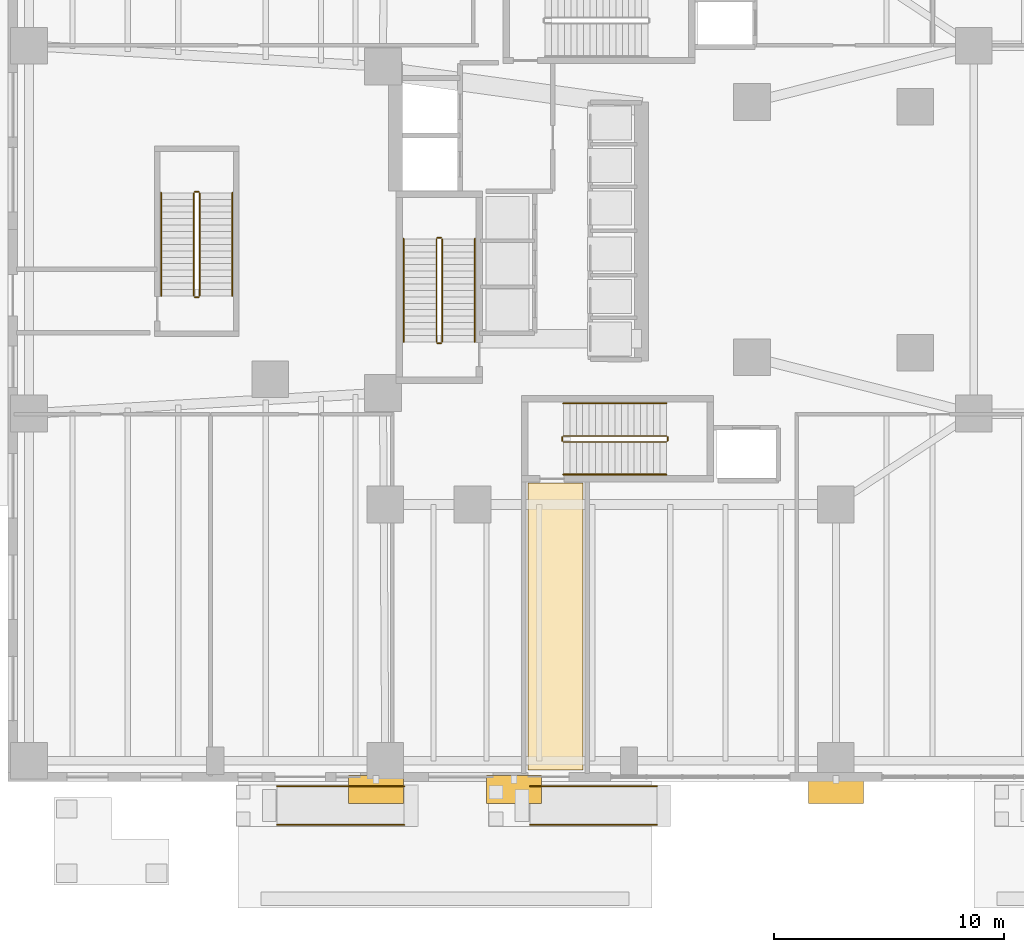
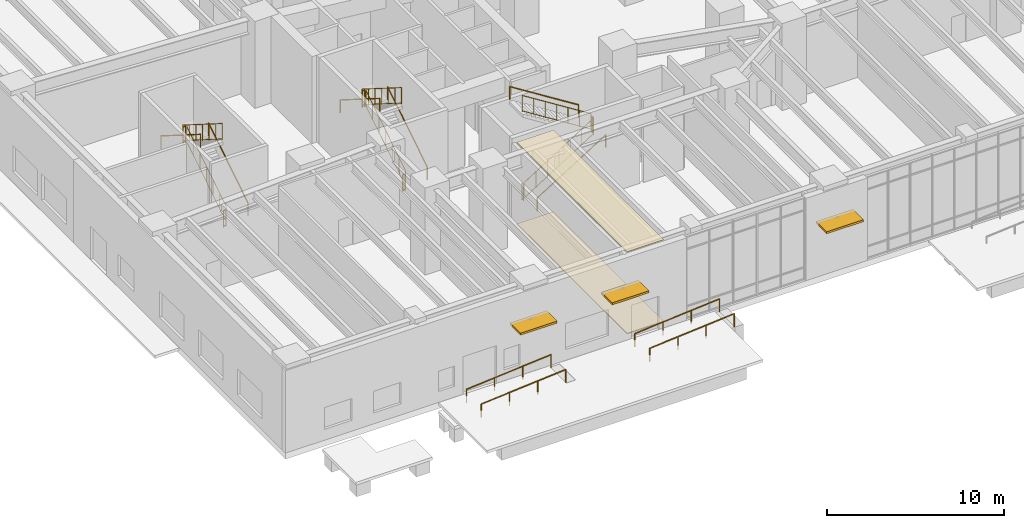
# One storey, part 24 of 28: 22 railings, 3 shading devices, 2 coverings.
"""IFC4 building model written with IfcOpenShell, lengths in metres."""

from ifc_helpers import new_model, si_unit, direction, frame, origin, origin_2d, place, context, subcontext, project, spatial, polyline, rectangle, circle, outline, extrude, material, layer, layer_set, type_object, element, save


model = new_model("IFC4")

# Units and contexts
model_context = context("Model", 3, precision=1e-05, world=origin(), true_north=direction((0.0, 1.0)))
body_context = subcontext(model_context, "Body", "Model", "MODEL_VIEW")
ifc_project = project(units=[si_unit("LENGTHUNIT", "METRE"), si_unit("AREAUNIT", "SQUARE_METRE"), si_unit("VOLUMEUNIT", "CUBIC_METRE"), si_unit("PLANEANGLEUNIT", "RADIAN"), si_unit("MASSUNIT", "GRAM", prefix="KILO"), si_unit("THERMODYNAMICTEMPERATUREUNIT", "KELVIN"), si_unit("POWERUNIT", "WATT")], contexts=[model_context])

# Site, building, storey
site_placement = place(None, origin())
site = spatial("IfcSite", under=ifc_project, at=site_placement, CompositionType="ELEMENT")
building_placement = place(site_placement, origin())
building = spatial("IfcBuilding", under=site, at=building_placement, Name="Skarre Station Tower", CompositionType="ELEMENT")
storey_placement = place(building_placement, origin())
storey = spatial("IfcBuildingStorey", under=building, at=storey_placement, Name="L01", CompositionType="ELEMENT", Elevation=0.0)

# Shading devices
ifc_material_1 = material(Name="Bronze Anodized Aluminium Blade Canopy", Category="aluminium")
ifc_layer_1 = layer(ifc_material_1, 0.139892578125, Name="Bronze Anodized Aluminium Blade Canopy")
ifc_layer_set_1 = layer_set([ifc_layer_1], Name="Bronze Anodized Aluminium Blade Canopy")
shading_device_type = type_object("IfcShadingDeviceType", Name="Entrance Canopy Sun-Breaker Awning 2400x1200", PredefinedType="AWNING", material=ifc_layer_set_1)
for number, where, z_axis, x_axis, name in (
    (1, (16.0, -0.35009765625, 3.5302734375), (0.0, 0.0, 1.0), (1.0, 0.0, 0.0), "L01 South Concourse Entrance Canopy Awning 1"),
    (2, (22.0, -0.35009765625, 3.5302734375), (0.0, 0.0, 1.0), (1.0, 0.0, 0.0), "L01 South Concourse Entrance Canopy Awning 2"),
    (3, (36.0, -0.35009765625, 3.5302734375), (0.0, 0.0, 1.0), (1.0, 0.0, 0.0), "L01 South Concourse Entrance Canopy Awning 3"),
):
    element("IfcShadingDevice", number, at=place(storey_placement, frame(where, z_axis=z_axis, x_axis=x_axis)), inside=storey, type_object=shading_device_type, Name=name, PredefinedType="AWNING", context=body_context, shape_type="SweptSolid", body=[
        extrude(rectangle(XDim=2.39990234375, YDim=1.199951171875, at=origin_2d()), origin(), (0.0, 0.0, 1.0), 0.139892578125),
    ])

# Coverings
ifc_material_2 = material(Name="Honed Jura Limestone & Calcium-Sulfate Access Tile", Category="masonry")
ifc_layer_2 = layer(ifc_material_2, 0.050048828125, Name="Honed Jura Limestone & Calcium-Sulfate Access Tile")
ifc_layer_set_2 = layer_set([ifc_layer_2], Name="Honed Jura Limestone & Calcium-Sulfate Access Tile")
covering_type_1 = type_object("IfcCoveringType", Name="Honed Limestone & Raised Access Floor Finish 50", PredefinedType="FLOORING", material=ifc_layer_set_2)
covering_1_placement = place(storey_placement, origin())
element("IfcCovering", 4, at=covering_1_placement, inside=storey, type_object=covering_type_1, Name="L01 Limestone Access Flooring 1", PredefinedType="FLOORING", context=body_context, shape_type="SweptSolid", body=[
    extrude(outline(polyline([(25.0, 0.5), (25.0, 12.97998046875), (22.60009765625, 12.97998046875), (22.60009765625, 0.5), (25.0, 0.5)])), origin(), (0.0, 0.0, 1.0), 0.050048828125),
])
ifc_material_3 = material(Name="Perforated Nordic Birch Veneer & Mineral Wool", Category="wood")
ifc_layer_3 = layer(ifc_material_3, 0.044921875, Name="Perforated Nordic Birch Veneer & Mineral Wool")
ifc_layer_set_3 = layer_set([ifc_layer_3], Name="Perforated Nordic Birch Veneer & Mineral Wool")
covering_type_2 = type_object("IfcCoveringType", Name="Nordic Birch Slatted Acoustic Suspended Ceiling 45", PredefinedType="CEILING", material=ifc_layer_set_3)
covering_2_placement = place(storey_placement, frame((0.0, 0.0, 5.64501953125)))
element("IfcCovering", 5, at=covering_2_placement, inside=storey, type_object=covering_type_2, Name="L01 Acoustic Birch Ceiling 1", PredefinedType="CEILING", context=body_context, shape_type="SweptSolid", body=[
    extrude(outline(polyline([(25.0, 0.5), (25.0, 12.97998046875), (22.60009765625, 12.97998046875), (22.60009765625, 0.5), (25.0, 0.5)])), origin(), (0.0, 0.0, 1.0), 0.044921875),
])

# Railings
ifc_material_4 = material(Name="Powder-Coated Tubular Steel", Category="steel")
railing_type_1 = type_object("IfcRailingType", Name="Painted Steel Ramp & Stair Handrail 920", PredefinedType="HANDRAIL", material=ifc_material_4)
railing_1_placement = place(storey_placement, frame((20.300048828125, 19.1201171875, 0.176513671875)))
element("IfcRailing", 6, at=railing_1_placement, inside=storey, type_object=railing_type_1, Name="L01 ST-1 stair handrail 1", PredefinedType="HANDRAIL", context=body_context, shape_type="SweptSolid", body=[
    extrude(circle(Radius=0.02392578125, at=origin_2d()), frame((0.0, 0.0, 0.8759765625), z_axis=(0.0, 0.845997938375, 0.533186166611), x_axis=(-1.0, 0.0, 0.0)), (0.0, 0.0, 1.0), 5.29541015625),
    extrude(circle(Radius=0.02099609375, at=origin_2d()), origin(), (0.0, 0.0, 1.0), 0.851806640625),
    extrude(circle(Radius=0.02099609375, at=origin_2d()), frame((0.0, 4.47998046875, 2.823486328125)), (0.0, 0.0, 1.0), 0.851806640625),
])
railing_2_placement = place(storey_placement, frame((17.199951171875, 23.60009765625, 3.176513671875)))
element("IfcRailing", 7, at=railing_2_placement, inside=storey, type_object=railing_type_1, Name="L01 ST-1 stair handrail 2", PredefinedType="HANDRAIL", context=body_context, shape_type="SweptSolid", body=[
    extrude(circle(Radius=0.02392578125, at=origin_2d()), frame((0.0, 0.0, 0.8759765625), z_axis=(0.0, -0.845997938375, 0.533186166611), x_axis=(1.0, 0.0, 0.0)), (0.0, 0.0, 1.0), 5.29541015625),
    extrude(circle(Radius=0.02099609375, at=origin_2d()), origin(), (0.0, 0.0, 1.0), 0.851806640625),
    extrude(circle(Radius=0.02099609375, at=origin_2d()), frame((0.0, -4.47998046875, 2.823486328125)), (0.0, 0.0, 1.0), 0.851806640625),
])
railing_3_placement = place(storey_placement, frame((24.14990234375, 13.35009765625, 0.176513671875)))
element("IfcRailing", 8, at=railing_3_placement, inside=storey, type_object=railing_type_1, Name="L01 ST-2 stair handrail 1", PredefinedType="HANDRAIL", context=body_context, shape_type="SweptSolid", body=[
    extrude(circle(Radius=0.02392578125, at=origin_2d()), frame((0.0, 0.0, 0.8759765625), z_axis=(0.845997938375, 0.0, 0.533186166611), x_axis=(0.0, 1.0, 0.0)), (0.0, 0.0, 1.0), 5.29541015625),
    extrude(circle(Radius=0.02099609375, at=origin_2d()), origin(), (0.0, 0.0, 1.0), 0.851806640625),
    extrude(circle(Radius=0.02099609375, at=origin_2d()), frame((4.47998046875, 0.0, 2.823486328125)), (0.0, 0.0, 1.0), 0.851806640625),
])
railing_4_placement = place(storey_placement, frame((28.6298828125, 16.449951171875, 3.176513671875)))
element("IfcRailing", 9, at=railing_4_placement, inside=storey, type_object=railing_type_1, Name="L01 ST-2 stair handrail 2", PredefinedType="HANDRAIL", context=body_context, shape_type="SweptSolid", body=[
    extrude(circle(Radius=0.02392578125, at=origin_2d()), frame((0.0, 0.0, 0.8759765625), z_axis=(-0.845997938375, 0.0, 0.533186166611), x_axis=(0.0, -1.0, 0.0)), (0.0, 0.0, 1.0), 5.29541015625),
    extrude(circle(Radius=0.02099609375, at=origin_2d()), origin(), (0.0, 0.0, 1.0), 0.851806640625),
    extrude(circle(Radius=0.02099609375, at=origin_2d()), frame((-4.47998046875, 0.0, 2.823486328125)), (0.0, 0.0, 1.0), 0.851806640625),
])
railing_5_placement = place(storey_placement, frame((9.75, 21.1201171875, 0.176513671875)))
element("IfcRailing", 10, at=railing_5_placement, inside=storey, type_object=railing_type_1, Name="L01 ST-4 stair handrail 1", PredefinedType="HANDRAIL", context=body_context, shape_type="SweptSolid", body=[
    extrude(circle(Radius=0.02392578125, at=origin_2d()), frame((0.0, 0.0, 0.8759765625), z_axis=(0.0, 0.845997938375, 0.533186166611), x_axis=(-1.0, 0.0, 0.0)), (0.0, 0.0, 1.0), 5.29541015625),
    extrude(circle(Radius=0.02099609375, at=origin_2d()), origin(), (0.0, 0.0, 1.0), 0.851806640625),
    extrude(circle(Radius=0.02099609375, at=origin_2d()), frame((0.0, 4.47998046875, 2.823486328125)), (0.0, 0.0, 1.0), 0.851806640625),
])
railing_6_placement = place(storey_placement, frame((6.64990234375, 25.60009765625, 3.176513671875)))
element("IfcRailing", 11, at=railing_6_placement, inside=storey, type_object=railing_type_1, Name="L01 ST-4 stair handrail 2", PredefinedType="HANDRAIL", context=body_context, shape_type="SweptSolid", body=[
    extrude(circle(Radius=0.02392578125, at=origin_2d()), frame((0.0, 0.0, 0.8759765625), z_axis=(0.0, -0.845997938375, 0.533186166611), x_axis=(1.0, 0.0, 0.0)), (0.0, 0.0, 1.0), 5.29541015625),
    extrude(circle(Radius=0.02099609375, at=origin_2d()), origin(), (0.0, 0.0, 1.0), 0.851806640625),
    extrude(circle(Radius=0.02099609375, at=origin_2d()), frame((0.0, -4.47998046875, 2.823486328125)), (0.0, 0.0, 1.0), 0.851806640625),
])
for number, where, name in (
    (12, (11.699951171875, -1.889892578125, -0.4599609375), "South West Concourse Accessible Ramp Handrail A"),
    (13, (11.699951171875, -0.2099609375, -0.4599609375), "South West Concourse Accessible Ramp Handrail B"),
    (14, (22.699951171875, -1.889892578125, -0.4599609375), "South Plaza Main Accessible Ramp Handrail A"),
    (15, (22.699951171875, -0.2099609375, -0.4599609375), "South Plaza Main Accessible Ramp Handrail B"),
):
    element("IfcRailing", number, at=place(storey_placement, frame(where)), inside=storey, type_object=railing_type_1, Name=name, PredefinedType="HANDRAIL", context=body_context, shape_type="SweptSolid", body=[
        extrude(circle(Radius=0.02392578125, at=origin_2d()), frame((0.0, 0.0, 0.89599609375), z_axis=(0.996546366156, 0.0, 0.083038184601), x_axis=(0.0, 1.0, 0.0)), (0.0, 0.0, 1.0), 5.5390625),
        extrude(circle(Radius=0.02099609375, at=origin_2d()), origin(), (0.0, 0.0, 1.0), 0.871826171875),
        extrude(circle(Radius=0.02099609375, at=origin_2d()), frame((1.840087890625, 0.0, 0.1533203125)), (0.0, 0.0, 1.0), 0.871826171875),
        extrude(circle(Radius=0.02099609375, at=origin_2d()), frame((3.679931640625, 0.0, 0.306640625)), (0.0, 0.0, 1.0), 0.871826171875),
        extrude(circle(Radius=0.02099609375, at=origin_2d()), frame((5.52001953125, 0.0, 0.4599609375)), (0.0, 0.0, 1.0), 0.871826171875),
    ])
railing_type_2 = type_object("IfcRailingType", Name="Painted Steel Stairwell Guardrail 1100", PredefinedType="GUARDRAIL", material=ifc_material_4)
railing_7_placement = place(storey_placement, frame((18.8798828125, 19.1201171875, 0.176513671875)))
element("IfcRailing", 16, at=railing_7_placement, inside=storey, type_object=railing_type_2, Name="L01 ST-1 stair guard 1", PredefinedType="GUARDRAIL", context=body_context, shape_type="SweptSolid", body=[
    extrude(circle(Radius=0.02392578125, at=origin_2d()), frame((0.0, 0.0, 1.1259765625), z_axis=(0.0, 0.845997938375, 0.533186166611), x_axis=(-1.0, 0.0, 0.0)), (0.0, 0.0, 1.0), 5.29541015625),
    extrude(circle(Radius=0.02099609375, at=origin_2d()), frame((0.0, 0.0, 0.06005859375), z_axis=(0.0, 0.845997938375, 0.533186166611), x_axis=(-1.0, 0.0, 0.0)), (0.0, 0.0, 1.0), 5.29541015625),
    extrude(circle(Radius=0.02099609375, at=origin_2d()), origin(), (0.0, 0.0, 1.0), 1.101806640625),
    extrude(circle(Radius=0.02099609375, at=origin_2d()), frame((0.0, 0.74658203125, 0.470703125)), (0.0, 0.0, 1.0), 1.101806640625),
    extrude(circle(Radius=0.02099609375, at=origin_2d()), frame((0.0, 1.493408203125, 0.941162109375)), (0.0, 0.0, 1.0), 1.101806640625),
    extrude(circle(Radius=0.02099609375, at=origin_2d()), frame((0.0, 2.239990234375, 1.41162109375)), (0.0, 0.0, 1.0), 1.101806640625),
    extrude(circle(Radius=0.02099609375, at=origin_2d()), frame((0.0, 2.986572265625, 1.88232421875)), (0.0, 0.0, 1.0), 1.101806640625),
    extrude(circle(Radius=0.02099609375, at=origin_2d()), frame((0.0, 3.7333984375, 2.35302734375)), (0.0, 0.0, 1.0), 1.101806640625),
    extrude(circle(Radius=0.02099609375, at=origin_2d()), frame((0.0, 4.47998046875, 2.823486328125)), (0.0, 0.0, 1.0), 1.101806640625),
])
railing_8_placement = place(storey_placement, frame((18.830078125, 23.64990234375, 3.0)))
element("IfcRailing", 17, at=railing_8_placement, inside=storey, type_object=railing_type_2, Name="L01 ST-1 stair guard 2", PredefinedType="GUARDRAIL", context=body_context, shape_type="SweptSolid", body=[
    extrude(circle(Radius=0.02392578125, at=origin_2d()), frame((0.0, 0.0, 1.1259765625), z_axis=(-1.0, 0.0, 0.0), x_axis=(0.0, -1.0, 0.0)), (0.0, 0.0, 1.0), 0.16015625),
    extrude(circle(Radius=0.02099609375, at=origin_2d()), frame((0.0, 0.0, 0.06005859375), z_axis=(-1.0, 0.0, 0.0), x_axis=(0.0, -1.0, 0.0)), (0.0, 0.0, 1.0), 0.16015625),
    extrude(circle(Radius=0.02099609375, at=origin_2d()), origin(), (0.0, 0.0, 1.0), 1.101806640625),
    extrude(circle(Radius=0.02099609375, at=origin_2d()), frame((-0.16015625, 0.0, 0.0)), (0.0, 0.0, 1.0), 1.101806640625),
])
railing_9_placement = place(storey_placement, frame((18.6201171875, 23.60009765625, 3.176513671875)))
element("IfcRailing", 18, at=railing_9_placement, inside=storey, type_object=railing_type_2, Name="L01 ST-1 stair guard 3", PredefinedType="GUARDRAIL", context=body_context, shape_type="SweptSolid", body=[
    extrude(circle(Radius=0.02392578125, at=origin_2d()), frame((0.0, 0.0, 1.1259765625), z_axis=(0.0, -0.845997938375, 0.533186166611), x_axis=(1.0, 0.0, 0.0)), (0.0, 0.0, 1.0), 5.29541015625),
    extrude(circle(Radius=0.02099609375, at=origin_2d()), frame((0.0, 0.0, 0.06005859375), z_axis=(0.0, -0.845997938375, 0.533186166611), x_axis=(1.0, 0.0, 0.0)), (0.0, 0.0, 1.0), 5.29541015625),
    extrude(circle(Radius=0.02099609375, at=origin_2d()), origin(), (0.0, 0.0, 1.0), 1.101806640625),
    extrude(circle(Radius=0.02099609375, at=origin_2d()), frame((0.0, -0.74658203125, 0.470703125)), (0.0, 0.0, 1.0), 1.101806640625),
    extrude(circle(Radius=0.02099609375, at=origin_2d()), frame((0.0, -1.493408203125, 0.941162109375)), (0.0, 0.0, 1.0), 1.101806640625),
    extrude(circle(Radius=0.02099609375, at=origin_2d()), frame((0.0, -2.239990234375, 1.41162109375)), (0.0, 0.0, 1.0), 1.101806640625),
    extrude(circle(Radius=0.02099609375, at=origin_2d()), frame((0.0, -2.986572265625, 1.88232421875)), (0.0, 0.0, 1.0), 1.101806640625),
    extrude(circle(Radius=0.02099609375, at=origin_2d()), frame((0.0, -3.7333984375, 2.35302734375)), (0.0, 0.0, 1.0), 1.101806640625),
    extrude(circle(Radius=0.02099609375, at=origin_2d()), frame((0.0, -4.47998046875, 2.823486328125)), (0.0, 0.0, 1.0), 1.101806640625),
])
railing_10_placement = place(storey_placement, frame((18.830078125, 19.070068359375, 0.0)))
element("IfcRailing", 19, at=railing_10_placement, inside=storey, type_object=railing_type_2, Name="L01 ST-1 stair guard 4", PredefinedType="GUARDRAIL", context=body_context, shape_type="SweptSolid", body=[
    extrude(circle(Radius=0.02392578125, at=origin_2d()), frame((0.0, 0.0, 1.1259765625), z_axis=(-1.0, 0.0, 0.0), x_axis=(0.0, -1.0, 0.0)), (0.0, 0.0, 1.0), 0.16015625),
    extrude(circle(Radius=0.02099609375, at=origin_2d()), frame((0.0, 0.0, 0.06005859375), z_axis=(-1.0, 0.0, 0.0), x_axis=(0.0, -1.0, 0.0)), (0.0, 0.0, 1.0), 0.16015625),
    extrude(circle(Radius=0.02099609375, at=origin_2d()), origin(), (0.0, 0.0, 1.0), 1.101806640625),
    extrude(circle(Radius=0.02099609375, at=origin_2d()), frame((-0.16015625, 0.0, 0.0)), (0.0, 0.0, 1.0), 1.101806640625),
])
railing_11_placement = place(storey_placement, frame((24.14990234375, 14.77001953125, 0.176513671875)))
element("IfcRailing", 20, at=railing_11_placement, inside=storey, type_object=railing_type_2, Name="L01 ST-2 stair guard 1", PredefinedType="GUARDRAIL", context=body_context, shape_type="SweptSolid", body=[
    extrude(circle(Radius=0.02392578125, at=origin_2d()), frame((0.0, 0.0, 1.1259765625), z_axis=(0.845997938375, 0.0, 0.533186166611), x_axis=(0.0, 1.0, 0.0)), (0.0, 0.0, 1.0), 5.29541015625),
    extrude(circle(Radius=0.02099609375, at=origin_2d()), frame((0.0, 0.0, 0.06005859375), z_axis=(0.845997938375, 0.0, 0.533186166611), x_axis=(0.0, 1.0, 0.0)), (0.0, 0.0, 1.0), 5.29541015625),
    extrude(circle(Radius=0.02099609375, at=origin_2d()), origin(), (0.0, 0.0, 1.0), 1.101806640625),
    extrude(circle(Radius=0.02099609375, at=origin_2d()), frame((0.74658203125, 0.0, 0.470703125)), (0.0, 0.0, 1.0), 1.101806640625),
    extrude(circle(Radius=0.02099609375, at=origin_2d()), frame((1.493408203125, 0.0, 0.941162109375)), (0.0, 0.0, 1.0), 1.101806640625),
    extrude(circle(Radius=0.02099609375, at=origin_2d()), frame((2.239990234375, 0.0, 1.41162109375)), (0.0, 0.0, 1.0), 1.101806640625),
    extrude(circle(Radius=0.02099609375, at=origin_2d()), frame((2.986572265625, 0.0, 1.88232421875)), (0.0, 0.0, 1.0), 1.101806640625),
    extrude(circle(Radius=0.02099609375, at=origin_2d()), frame((3.7333984375, 0.0, 2.35302734375)), (0.0, 0.0, 1.0), 1.101806640625),
    extrude(circle(Radius=0.02099609375, at=origin_2d()), frame((4.47998046875, 0.0, 2.823486328125)), (0.0, 0.0, 1.0), 1.101806640625),
])
railing_12_placement = place(storey_placement, frame((28.679931640625, 14.820068359375, 3.0)))
element("IfcRailing", 21, at=railing_12_placement, inside=storey, type_object=railing_type_2, Name="L01 ST-2 stair guard 2", PredefinedType="GUARDRAIL", context=body_context, shape_type="SweptSolid", body=[
    extrude(circle(Radius=0.02392578125, at=origin_2d()), frame((0.0, 0.0, 1.1259765625), z_axis=(0.0, 1.0, 0.0), x_axis=(-1.0, 0.0, 0.0)), (0.0, 0.0, 1.0), 0.159912109375),
    extrude(circle(Radius=0.02099609375, at=origin_2d()), frame((0.0, 0.0, 0.06005859375), z_axis=(0.0, 1.0, 0.0), x_axis=(-1.0, 0.0, 0.0)), (0.0, 0.0, 1.0), 0.159912109375),
    extrude(circle(Radius=0.02099609375, at=origin_2d()), origin(), (0.0, 0.0, 1.0), 1.101806640625),
    extrude(circle(Radius=0.02099609375, at=origin_2d()), frame((0.0, 0.159912109375, 0.0)), (0.0, 0.0, 1.0), 1.101806640625),
])
railing_13_placement = place(storey_placement, frame((28.6298828125, 15.030029296875, 3.176513671875)))
element("IfcRailing", 22, at=railing_13_placement, inside=storey, type_object=railing_type_2, Name="L01 ST-2 stair guard 3", PredefinedType="GUARDRAIL", context=body_context, shape_type="SweptSolid", body=[
    extrude(circle(Radius=0.02392578125, at=origin_2d()), frame((0.0, 0.0, 1.1259765625), z_axis=(-0.845997938375, 0.0, 0.533186166611), x_axis=(0.0, -1.0, 0.0)), (0.0, 0.0, 1.0), 5.29541015625),
    extrude(circle(Radius=0.02099609375, at=origin_2d()), frame((0.0, 0.0, 0.06005859375), z_axis=(-0.845997938375, 0.0, 0.533186166611), x_axis=(0.0, -1.0, 0.0)), (0.0, 0.0, 1.0), 5.29541015625),
    extrude(circle(Radius=0.02099609375, at=origin_2d()), origin(), (0.0, 0.0, 1.0), 1.101806640625),
    extrude(circle(Radius=0.02099609375, at=origin_2d()), frame((-0.74658203125, 0.0, 0.470703125)), (0.0, 0.0, 1.0), 1.101806640625),
    extrude(circle(Radius=0.02099609375, at=origin_2d()), frame((-1.493408203125, 0.0, 0.941162109375)), (0.0, 0.0, 1.0), 1.101806640625),
    extrude(circle(Radius=0.02099609375, at=origin_2d()), frame((-2.239990234375, 0.0, 1.41162109375)), (0.0, 0.0, 1.0), 1.101806640625),
    extrude(circle(Radius=0.02099609375, at=origin_2d()), frame((-2.986572265625, 0.0, 1.88232421875)), (0.0, 0.0, 1.0), 1.101806640625),
    extrude(circle(Radius=0.02099609375, at=origin_2d()), frame((-3.7333984375, 0.0, 2.35302734375)), (0.0, 0.0, 1.0), 1.101806640625),
    extrude(circle(Radius=0.02099609375, at=origin_2d()), frame((-4.47998046875, 0.0, 2.823486328125)), (0.0, 0.0, 1.0), 1.101806640625),
])
railing_14_placement = place(storey_placement, frame((24.10009765625, 14.820068359375, 0.0)))
element("IfcRailing", 23, at=railing_14_placement, inside=storey, type_object=railing_type_2, Name="L01 ST-2 stair guard 4", PredefinedType="GUARDRAIL", context=body_context, shape_type="SweptSolid", body=[
    extrude(circle(Radius=0.02392578125, at=origin_2d()), frame((0.0, 0.0, 1.1259765625), z_axis=(0.0, 1.0, 0.0), x_axis=(-1.0, 0.0, 0.0)), (0.0, 0.0, 1.0), 0.159912109375),
    extrude(circle(Radius=0.02099609375, at=origin_2d()), frame((0.0, 0.0, 0.06005859375), z_axis=(0.0, 1.0, 0.0), x_axis=(-1.0, 0.0, 0.0)), (0.0, 0.0, 1.0), 0.159912109375),
    extrude(circle(Radius=0.02099609375, at=origin_2d()), origin(), (0.0, 0.0, 1.0), 1.101806640625),
    extrude(circle(Radius=0.02099609375, at=origin_2d()), frame((0.0, 0.159912109375, 0.0)), (0.0, 0.0, 1.0), 1.101806640625),
])
railing_15_placement = place(storey_placement, frame((8.330078125, 21.1201171875, 0.176513671875)))
element("IfcRailing", 24, at=railing_15_placement, inside=storey, type_object=railing_type_2, Name="L01 ST-4 stair guard 1", PredefinedType="GUARDRAIL", context=body_context, shape_type="SweptSolid", body=[
    extrude(circle(Radius=0.02392578125, at=origin_2d()), frame((0.0, 0.0, 1.1259765625), z_axis=(0.0, 0.845997938375, 0.533186166611), x_axis=(-1.0, 0.0, 0.0)), (0.0, 0.0, 1.0), 5.29541015625),
    extrude(circle(Radius=0.02099609375, at=origin_2d()), frame((0.0, 0.0, 0.06005859375), z_axis=(0.0, 0.845997938375, 0.533186166611), x_axis=(-1.0, 0.0, 0.0)), (0.0, 0.0, 1.0), 5.29541015625),
    extrude(circle(Radius=0.02099609375, at=origin_2d()), origin(), (0.0, 0.0, 1.0), 1.101806640625),
    extrude(circle(Radius=0.02099609375, at=origin_2d()), frame((0.0, 0.74658203125, 0.470703125)), (0.0, 0.0, 1.0), 1.101806640625),
    extrude(circle(Radius=0.02099609375, at=origin_2d()), frame((0.0, 1.493408203125, 0.941162109375)), (0.0, 0.0, 1.0), 1.101806640625),
    extrude(circle(Radius=0.02099609375, at=origin_2d()), frame((0.0, 2.239990234375, 1.41162109375)), (0.0, 0.0, 1.0), 1.101806640625),
    extrude(circle(Radius=0.02099609375, at=origin_2d()), frame((0.0, 2.986572265625, 1.88232421875)), (0.0, 0.0, 1.0), 1.101806640625),
    extrude(circle(Radius=0.02099609375, at=origin_2d()), frame((0.0, 3.7333984375, 2.35302734375)), (0.0, 0.0, 1.0), 1.101806640625),
    extrude(circle(Radius=0.02099609375, at=origin_2d()), frame((0.0, 4.47998046875, 2.823486328125)), (0.0, 0.0, 1.0), 1.101806640625),
])
railing_16_placement = place(storey_placement, frame((8.280029296875, 25.64990234375, 3.0)))
element("IfcRailing", 25, at=railing_16_placement, inside=storey, type_object=railing_type_2, Name="L01 ST-4 stair guard 2", PredefinedType="GUARDRAIL", context=body_context, shape_type="SweptSolid", body=[
    extrude(circle(Radius=0.02392578125, at=origin_2d()), frame((0.0, 0.0, 1.1259765625), z_axis=(-1.0, 0.0, 0.0), x_axis=(0.0, -1.0, 0.0)), (0.0, 0.0, 1.0), 0.159912109375),
    extrude(circle(Radius=0.02099609375, at=origin_2d()), frame((0.0, 0.0, 0.06005859375), z_axis=(-1.0, 0.0, 0.0), x_axis=(0.0, -1.0, 0.0)), (0.0, 0.0, 1.0), 0.159912109375),
    extrude(circle(Radius=0.02099609375, at=origin_2d()), origin(), (0.0, 0.0, 1.0), 1.101806640625),
    extrude(circle(Radius=0.02099609375, at=origin_2d()), frame((-0.159912109375, 0.0, 0.0)), (0.0, 0.0, 1.0), 1.101806640625),
])
railing_17_placement = place(storey_placement, frame((8.070068359375, 25.60009765625, 3.176513671875)))
element("IfcRailing", 26, at=railing_17_placement, inside=storey, type_object=railing_type_2, Name="L01 ST-4 stair guard 3", PredefinedType="GUARDRAIL", context=body_context, shape_type="SweptSolid", body=[
    extrude(circle(Radius=0.02392578125, at=origin_2d()), frame((0.0, 0.0, 1.1259765625), z_axis=(0.0, -0.845997938375, 0.533186166611), x_axis=(1.0, 0.0, 0.0)), (0.0, 0.0, 1.0), 5.29541015625),
    extrude(circle(Radius=0.02099609375, at=origin_2d()), frame((0.0, 0.0, 0.06005859375), z_axis=(0.0, -0.845997938375, 0.533186166611), x_axis=(1.0, 0.0, 0.0)), (0.0, 0.0, 1.0), 5.29541015625),
    extrude(circle(Radius=0.02099609375, at=origin_2d()), origin(), (0.0, 0.0, 1.0), 1.101806640625),
    extrude(circle(Radius=0.02099609375, at=origin_2d()), frame((0.0, -0.74658203125, 0.470703125)), (0.0, 0.0, 1.0), 1.101806640625),
    extrude(circle(Radius=0.02099609375, at=origin_2d()), frame((0.0, -1.493408203125, 0.941162109375)), (0.0, 0.0, 1.0), 1.101806640625),
    extrude(circle(Radius=0.02099609375, at=origin_2d()), frame((0.0, -2.239990234375, 1.41162109375)), (0.0, 0.0, 1.0), 1.101806640625),
    extrude(circle(Radius=0.02099609375, at=origin_2d()), frame((0.0, -2.986572265625, 1.88232421875)), (0.0, 0.0, 1.0), 1.101806640625),
    extrude(circle(Radius=0.02099609375, at=origin_2d()), frame((0.0, -3.7333984375, 2.35302734375)), (0.0, 0.0, 1.0), 1.101806640625),
    extrude(circle(Radius=0.02099609375, at=origin_2d()), frame((0.0, -4.47998046875, 2.823486328125)), (0.0, 0.0, 1.0), 1.101806640625),
])
railing_18_placement = place(storey_placement, frame((8.280029296875, 21.070068359375, 0.0)))
element("IfcRailing", 27, at=railing_18_placement, inside=storey, type_object=railing_type_2, Name="L01 ST-4 stair guard 4", PredefinedType="GUARDRAIL", context=body_context, shape_type="SweptSolid", body=[
    extrude(circle(Radius=0.02392578125, at=origin_2d()), frame((0.0, 0.0, 1.1259765625), z_axis=(-1.0, 0.0, 0.0), x_axis=(0.0, -1.0, 0.0)), (0.0, 0.0, 1.0), 0.159912109375),
    extrude(circle(Radius=0.02099609375, at=origin_2d()), frame((0.0, 0.0, 0.06005859375), z_axis=(-1.0, 0.0, 0.0), x_axis=(0.0, -1.0, 0.0)), (0.0, 0.0, 1.0), 0.159912109375),
    extrude(circle(Radius=0.02099609375, at=origin_2d()), origin(), (0.0, 0.0, 1.0), 1.101806640625),
    extrude(circle(Radius=0.02099609375, at=origin_2d()), frame((-0.159912109375, 0.0, 0.0)), (0.0, 0.0, 1.0), 1.101806640625),
])

save(model, "model.ifc")
